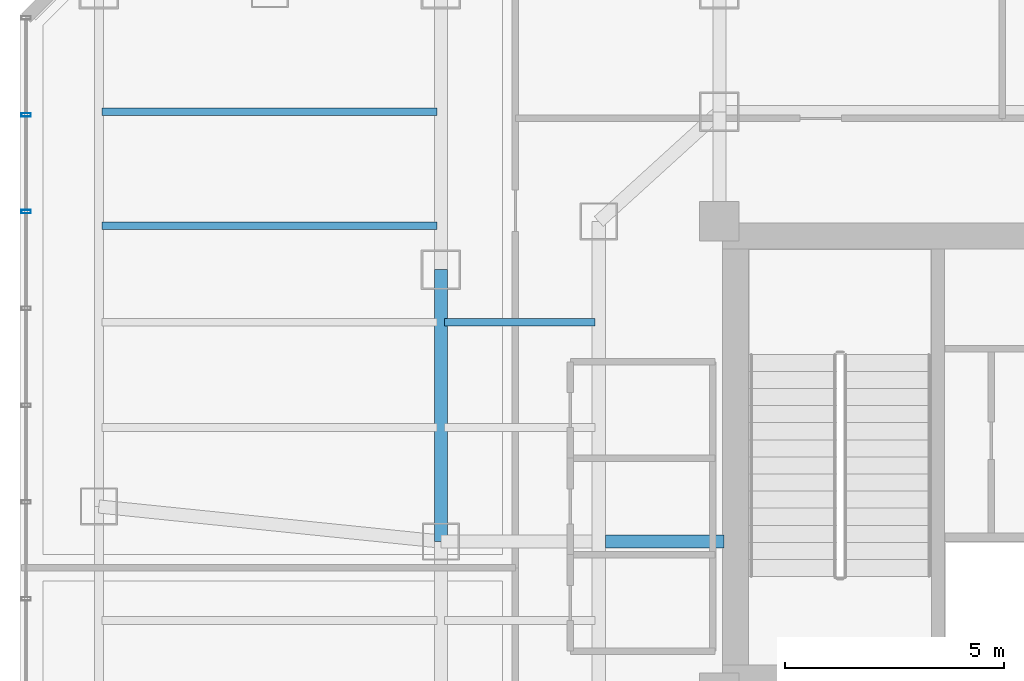
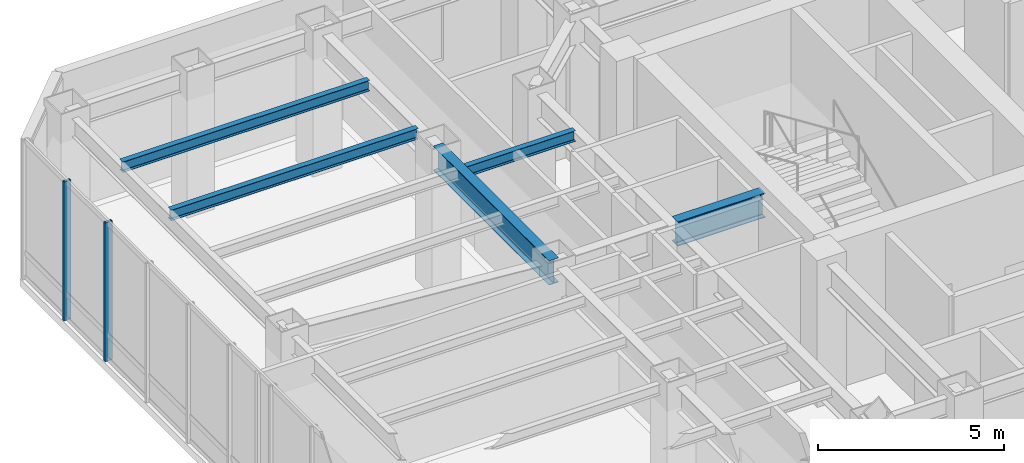
# One storey, part 14 of 27: 5 beams, 2 members, 1 element without a shape of its own.
"""IFC4 building model written with IfcOpenShell, lengths in metres."""

from ifc_helpers import new_model, si_unit, direction, frame, origin, origin_2d, place, context, subcontext, project, spatial, hollow_rectangle, i_section, extrude, material, layer, layer_set, material_profile, profile_set, type_object, element, aggregate, save


model = new_model("IFC4")

# Units and contexts
model_context = context("Model", 3, precision=1e-05, world=origin(), true_north=direction((0.0, 1.0)))
body_context = subcontext(model_context, "Body", "Model", "MODEL_VIEW")
ifc_project = project(units=[si_unit("LENGTHUNIT", "METRE"), si_unit("AREAUNIT", "SQUARE_METRE"), si_unit("VOLUMEUNIT", "CUBIC_METRE"), si_unit("PLANEANGLEUNIT", "RADIAN"), si_unit("MASSUNIT", "GRAM", prefix="KILO")], contexts=[model_context])

# Site, building, storey
site_placement = place(None, origin())
site = spatial("IfcSite", under=ifc_project, at=site_placement, CompositionType="ELEMENT")
building_placement = place(site_placement, origin())
building = spatial("IfcBuilding", under=site, at=building_placement, Name="Hatsunagi Terrace Concourse", CompositionType="ELEMENT")
storey_placement = place(building_placement, frame((0.0, 0.0, 96.449951171875)))
storey = spatial("IfcBuildingStorey", under=building, at=storey_placement, Name="L25", CompositionType="ELEMENT", Elevation=96.449951171875)

# Curtain wall, members
ifc_material_1 = material(Name="Anodised Aluminium Alloy 6063-T5", Category="aluminium")
ifc_layer = layer(ifc_material_1, 0.199951171875)
ifc_layer_set = layer_set([ifc_layer], Name="SkyLobbyAtrium_CW05")
curtain_wall_type = type_object("IfcCurtainWallType", Name="SkyLobbyAtrium_CW05", PredefinedType="NOTDEFINED", material=ifc_layer_set)
curtain_wall_placement = place(storey_placement, origin())
curtain_wall = element("IfcCurtainWall", 1, at=curtain_wall_placement, inside=storey, type_object=curtain_wall_type, Name="Unitised Curtain Wall CW-05 CW-L25-09", PredefinedType="NOTDEFINED")
ifc_material_2 = material(Name="Anodised Aluminium Alloy 6063-T5", Category="aluminium")
ifc_material_profile_1 = material_profile(ifc_material_2, hollow_rectangle(XDim=0.080078125, YDim=0.219970703125, WallThickness=0.0048828125, at=origin_2d()), Name="ALU-MUL-220x80x5")
ifc_profile_set_1 = profile_set([ifc_material_profile_1], Name="Anodised Aluminium Alloy 6063-T5")
member_type = type_object("IfcMemberType", Name="CurtainWallMullion_Heavy_220x80", PredefinedType="MULLION", material=ifc_profile_set_1)
member_1_placement = place(storey_placement, frame((9.739990234375, 43.52490234375, 0.0), z_axis=(0.0, 0.0, 1.0), x_axis=(0.0, 1.0, 0.0)))
member_1 = element("IfcMember", 2, at=member_1_placement, type_object=member_type, Name="Curtain Wall Mullion MUL-01", PredefinedType="MULLION", context=body_context, shape_type="SweptSolid", body=[
    extrude(hollow_rectangle(XDim=0.080078125, YDim=0.219970703125, WallThickness=0.0048828125, at=origin_2d()), origin(), (0.0, 0.0, 1.0), 4.550048828125),
])
member_2_placement = place(storey_placement, frame((9.739990234375, 45.73388671875, 0.0), z_axis=(0.0, 0.0, 1.0), x_axis=(0.0, 1.0, 0.0)))
member_2 = element("IfcMember", 3, at=member_2_placement, type_object=member_type, Name="Curtain Wall Mullion MUL-01", PredefinedType="MULLION", context=body_context, shape_type="SweptSolid", body=[
    extrude(hollow_rectangle(XDim=0.080078125, YDim=0.219970703125, WallThickness=0.0048828125, at=origin_2d()), origin(), (0.0, 0.0, 1.0), 4.550048828125),
])
aggregate(curtain_wall, [member_1, member_2])

# Beams
ifc_material_3 = material(Name="Steel SN490B", Category="steel")
ifc_material_profile_2 = material_profile(ifc_material_3, i_section(OverallWidth=0.175048828125, OverallDepth=0.35009765625, WebThickness=0.007080078125, FlangeThickness=0.010986328125, FilletRadius=0.012939453125, at=origin_2d()), Name="H-350x175x7x11")
ifc_profile_set_2 = profile_set([ifc_material_profile_2], Name="Steel SN490B")
beam_type_1 = type_object("IfcBeamType", Name="HotelJoist_H_350x175", PredefinedType="JOIST", material=ifc_profile_set_2)
beam_1_placement = place(storey_placement, frame((19.284912109375, 41.0, 4.375), z_axis=(1.0, 0.0, 0.0), x_axis=(0.0, 1.0, 0.0)))
element("IfcBeam", 4, at=beam_1_placement, inside=storey, type_object=beam_type_1, Name="Beam J-02 J-L25-W-19-410", PredefinedType="JOIST", context=body_context, shape_type="SweptSolid", body=[
    extrude(i_section(OverallWidth=0.175048828125, OverallDepth=0.35009765625, WebThickness=0.007080078125, FlangeThickness=0.010986328125, FilletRadius=0.012939453125, at=origin_2d()), origin(), (0.0, 0.0, 1.0), 3.43017578125),
])
for number, where, z_axis, x_axis, name in (
    (5, (11.465087890625, 43.199951171875, 4.375), (1.0, 0.0, 0.0), (0.0, 1.0, 0.0), "Beam J-02 J-L25-W-11-432"),
    (6, (11.465087890625, 45.800048828125, 4.375), (1.0, 0.0, 0.0), (0.0, 1.0, 0.0), "Beam J-02 J-L25-W-11-458"),
):
    element("IfcBeam", number, at=place(storey_placement, frame(where, z_axis=z_axis, x_axis=x_axis)), inside=storey, type_object=beam_type_1, Name=name, PredefinedType="JOIST", context=body_context, shape_type="SweptSolid", body=[
        extrude(i_section(OverallWidth=0.175048828125, OverallDepth=0.35009765625, WebThickness=0.007080078125, FlangeThickness=0.010986328125, FilletRadius=0.012939453125, at=origin_2d()), origin(), (0.0, 0.0, 1.0), 7.64990234375),
    ])
ifc_material_4 = material(Name="Steel SN490B", Category="steel")
ifc_material_profile_3 = material_profile(ifc_material_4, i_section(OverallWidth=0.300048828125, OverallDepth=0.800048828125, WebThickness=0.013916015625, FlangeThickness=0.02587890625, FilletRadius=0.02197265625, at=origin_2d()), Name="H-800x300x14x26")
ifc_profile_set_3 = profile_set([ifc_material_profile_3], Name="Steel SN490B")
beam_type_2 = type_object("IfcBeamType", Name="SkyLobbyGirder_H_800x300", PredefinedType="BEAM", material=ifc_profile_set_3)
beam_2_placement = place(storey_placement, frame((19.199951171875, 36.0, 4.150146484375), z_axis=(0.0, 1.0, 0.0), x_axis=(-1.0, 0.0, 0.0)))
element("IfcBeam", 7, at=beam_2_placement, inside=storey, type_object=beam_type_2, Name="Beam G-03 BM-L25-NS-19-36", PredefinedType="BEAM", context=body_context, shape_type="SweptSolid", body=[
    extrude(i_section(OverallWidth=0.300048828125, OverallDepth=0.800048828125, WebThickness=0.013916015625, FlangeThickness=0.02587890625, FilletRadius=0.02197265625, at=origin_2d()), origin(), (0.0, 0.0, 1.0), 6.199951171875),
])
beam_3_placement = place(storey_placement, frame((22.949951171875, 36.0, 4.150146484375), z_axis=(1.0, 0.0, 0.0), x_axis=(0.0, 1.0, 0.0)))
element("IfcBeam", 8, at=beam_3_placement, inside=storey, type_object=beam_type_2, Name="Beam G-03 BM-L25-EW-4", PredefinedType="BEAM", context=body_context, shape_type="SweptSolid", body=[
    extrude(i_section(OverallWidth=0.300048828125, OverallDepth=0.800048828125, WebThickness=0.013916015625, FlangeThickness=0.02587890625, FilletRadius=0.02197265625, at=origin_2d()), origin(), (0.0, 0.0, 1.0), 2.7099609375),
])

save(model, "model.ifc")
